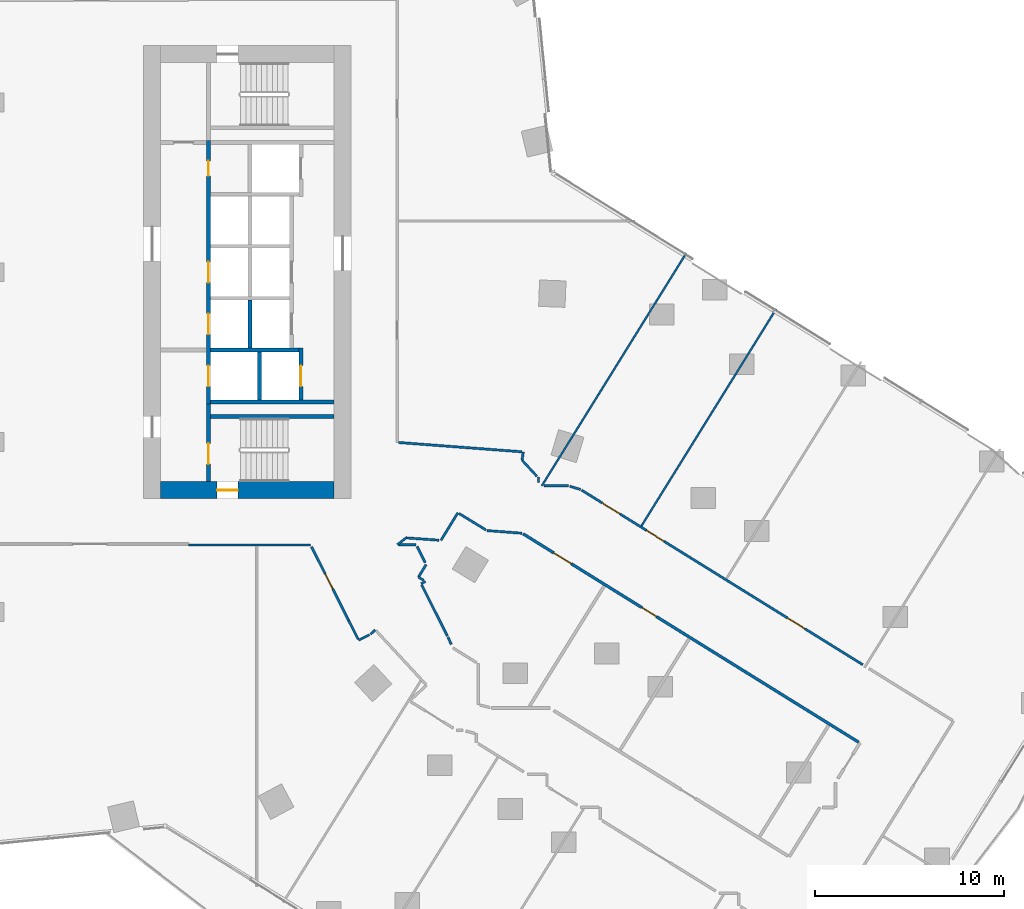
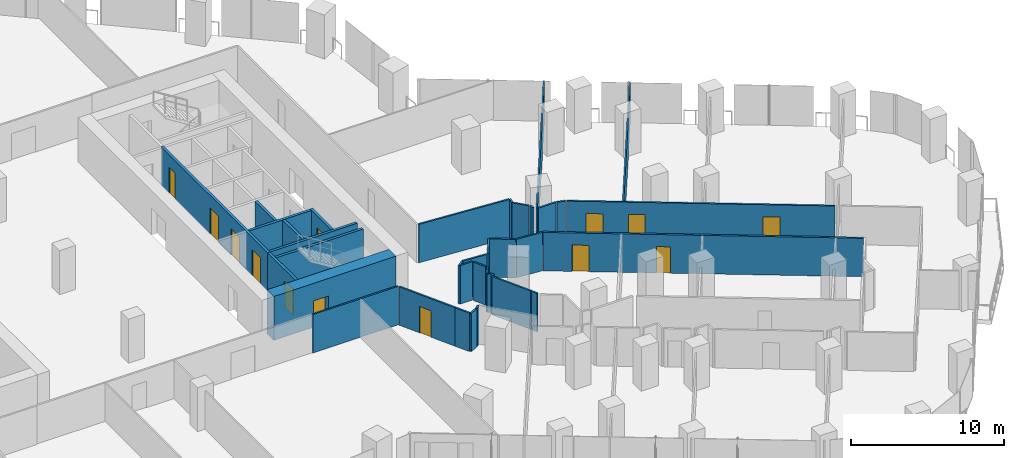
# One storey, part 27 of 34: 36 walls, 13 doors, 13 openings.
"""IFC4 building model written with IfcOpenShell, lengths in metres."""

from ifc_helpers import new_model, si_unit, direction, frame, frame_2d, origin, place, context, subcontext, project, spatial, rectangle, extrude, material, layer, layer_set, type_object, element, fill, save


model = new_model("IFC4")

# Units and contexts
model_context = context("Model", 3, precision=1e-05, world=origin(), true_north=direction((0.0, 1.0)))
body_context = subcontext(model_context, "Body", "Model", "MODEL_VIEW")
ifc_project = project(units=[si_unit("LENGTHUNIT", "METRE"), si_unit("AREAUNIT", "SQUARE_METRE"), si_unit("VOLUMEUNIT", "CUBIC_METRE"), si_unit("PLANEANGLEUNIT", "RADIAN"), si_unit("MASSUNIT", "GRAM", prefix="KILO")], contexts=[model_context])

# Site, building, storey
site_placement = place(None, origin())
site = spatial("IfcSite", under=ifc_project, at=site_placement, CompositionType="ELEMENT")
building_placement = place(site_placement, origin())
building = spatial("IfcBuilding", under=site, at=building_placement, Name="Orlundy Tower", CompositionType="ELEMENT")
storey_placement = place(building_placement, frame((0.0, 0.0, 37.300048828125)))
storey = spatial("IfcBuildingStorey", under=building, at=storey_placement, Name="L07", CompositionType="ELEMENT", Elevation=37.300048828125)

# Wall, opening, door
ifc_material_1 = material(Name="Concrete C80/95", Category="concrete")
ifc_layer_1 = layer(ifc_material_1, 0.89990234375)
ifc_layer_set_1 = layer_set([ifc_layer_1], Name="CORE WALL 900 C80/95")
wall_type_1 = type_object("IfcWallType", Name="CORE WALL 900 C80/95", PredefinedType="SHEAR", material=ifc_layer_set_1)
wall_1_placement = place(storey_placement, frame((8.89990234375, -11.550048828125, 0.0), z_axis=(0.0, 0.0, 1.0), x_axis=(1.0, 0.0, 0.0)))
wall_1 = element("IfcWall", 1, at=wall_1_placement, inside=storey, type_object=wall_type_1, Name="Core wall E-S L07", PredefinedType="SHEAR", context=body_context, shape_type="SweptSolid", body=[
    extrude(rectangle(XDim=9.2001953125, YDim=0.89990234375, at=frame_2d((4.60009765625, 0.0))), origin(), (0.0, 0.0, 1.0), 3.5),
])
opening_1_placement = place(wall_1_placement, frame((3.0, 0.0, 0.0)))
opening_1 = element("IfcOpeningElement", 2, at=opening_1_placement, cuts=wall_1, Name="Opening 08061", PredefinedType="OPENING", context=body_context, shape_type="SweptSolid", body=[
    extrude(rectangle(XDim=1.10009765625, YDim=2.10009765625, at=frame_2d((0.550048828125, 1.050048828125))), frame((0.0, 0.4599609375, 0.0), z_axis=(0.0, -1.0, 0.0), x_axis=(1.0, 0.0, 0.0)), (0.0, 0.0, 1.0), 0.919921875),
])
ifc_material_2 = material(Name="Steel door set", Category="steel")
door_type_1 = type_object("IfcDoorType", Name="Stair Door 1100x2100", OperationType="SINGLE_SWING_LEFT", PredefinedType="DOOR", material=ifc_material_2)
door_1_placement = place(opening_1_placement, origin())
door_1 = element("IfcDoor", 3, at=door_1_placement, inside=storey, type_object=door_type_1, Name="Stair door 08061", OperationType="SINGLE_SWING_LEFT", OverallHeight=2.10009765625, OverallWidth=1.10009765625, PredefinedType="DOOR", context=body_context, shape_type="SweptSolid", body=[
    extrude(rectangle(XDim=1.10009765625, YDim=2.10009765625, at=frame_2d((0.550048828125, 1.050048828125))), frame((0.0, 0.02490234375, 0.0), z_axis=(0.0, -1.0, 0.0), x_axis=(1.0, 0.0, 0.0)), (0.0, 0.0, 1.0), 0.050048828125),
])
fill(opening_1, door_1)

# Walls
ifc_material_3 = material(Name="Gypsum board partition")
ifc_layer_2 = layer(ifc_material_3, 0.10009765625)
ifc_layer_set_2 = layer_set([ifc_layer_2], Name="Floor partition 100")
wall_type_2 = type_object("IfcWallType", Name="Floor partition 100", PredefinedType="PARTITIONING", material=ifc_layer_set_2)
wall_2_placement = place(storey_placement, frame((34.381103515625, -13.443115234375, 0.0), z_axis=(0.0, 0.0, 1.0), x_axis=(0.527467467503, 0.849575229586, 0.0)))
element("IfcWall", 4, at=wall_2_placement, inside=storey, type_object=wall_type_2, Name="wall-int-L07-096", PredefinedType="PARTITIONING", context=body_context, shape_type="SweptSolid", body=[
    extrude(rectangle(XDim=13.5361328125, YDim=0.10009765625, at=frame_2d((6.76806640625, 0.0))), origin(), (0.0, 0.0, 1.0), 3.06005859375),
])
wall_3_placement = place(storey_placement, frame((29.097900390625, -11.322021484375, 0.0), z_axis=(0.0, 0.0, 1.0), x_axis=(0.527451584377, 0.849585090582, 0.0)))
element("IfcWall", 5, at=wall_3_placement, inside=storey, type_object=wall_type_2, Name="wall-int-L07-098", PredefinedType="PARTITIONING", context=body_context, shape_type="SweptSolid", body=[
    extrude(rectangle(XDim=14.52099609375, YDim=0.10009765625, at=frame_2d((7.260498046875, 0.0))), origin(), (0.0, 0.0, 1.0), 3.06005859375),
])
ifc_material_4 = material(Name="Gypsum board partition, double layer")
ifc_layer_3 = layer(ifc_material_4, 0.125)
ifc_layer_set_3 = layer_set([ifc_layer_3], Name="Floor partition 125")
wall_type_3 = type_object("IfcWallType", Name="Floor partition 125", PredefinedType="PARTITIONING", material=ifc_layer_set_3)
wall_4_placement = place(storey_placement, frame((24.125, -19.3330078125, 0.0), z_axis=(0.0, 0.0, 1.0), x_axis=(0.421763397018, -0.906705926382, 0.0)))
element("IfcWall", 6, at=wall_4_placement, inside=storey, type_object=wall_type_3, Name="wall-int-L07-001", PredefinedType="PARTITIONING", context=body_context, shape_type="SweptSolid", body=[
    extrude(rectangle(XDim=0.428955078125, YDim=0.125, at=frame_2d((0.21435546875, 0.0))), origin(), (0.0, 0.0, 1.0), 3.06005859375),
])
wall_5_placement = place(storey_placement, frame((18.862060546875, -18.444091796875, 0.0), z_axis=(0.0, 0.0, 1.0), x_axis=(0.450002129545, -0.893027481887, 0.0)))
element("IfcWall", 7, at=wall_5_placement, inside=storey, type_object=wall_type_3, Name="wall-int-L07-002", PredefinedType="PARTITIONING", context=body_context, shape_type="SweptSolid", body=[
    extrude(rectangle(XDim=1.119873046875, YDim=0.125, at=frame_2d((0.56005859375, 0.0))), origin(), (0.0, 0.0, 1.0), 3.06005859375),
])

# Wall, opening, door
wall_6_placement = place(storey_placement, frame((18.862060546875, -18.444091796875, 0.0), z_axis=(0.0, 0.0, 1.0), x_axis=(-0.450138749971, 0.892958624895, 0.0)))
wall_6 = element("IfcWall", 8, at=wall_6_placement, inside=storey, type_object=wall_type_3, Name="wall-int-L07-003", PredefinedType="PARTITIONING", context=body_context, shape_type="SweptSolid", body=[
    extrude(rectangle(XDim=4.369873046875, YDim=0.125, at=frame_2d((2.18505859375, 0.0))), origin(), (0.0, 0.0, 1.0), 3.06005859375),
])
opening_2_placement = place(wall_6_placement, frame((1.85009765625, 0.0, 0.0)))
opening_2 = element("IfcOpeningElement", 9, at=opening_2_placement, cuts=wall_6, Name="Opening 08126", PredefinedType="OPENING", context=body_context, shape_type="SweptSolid", body=[
    extrude(rectangle(XDim=0.89990234375, YDim=2.10009765625, at=frame_2d((0.449951171875, 1.050048828125))), frame((0.0, 0.072509765625, 0.0), z_axis=(0.0, -1.0, 0.0), x_axis=(1.0, 0.0, 0.0)), (0.0, 0.0, 1.0), 0.14501953125),
])
ifc_material_5 = material(Name="Timber door leaf", Category="wood")
door_type_2 = type_object("IfcDoorType", Name="Floor door single 900 FD30S", OperationType="NOTDEFINED", PredefinedType="DOOR", material=ifc_material_5)
door_2_placement = place(opening_2_placement, origin())
door_2 = element("IfcDoor", 10, at=door_2_placement, inside=storey, type_object=door_type_2, Name="Door 08126", OperationType="SINGLE_SWING_RIGHT", OverallHeight=2.10009765625, OverallWidth=0.89990234375, PredefinedType="DOOR", context=body_context, shape_type="SweptSolid", body=[
    extrude(rectangle(XDim=0.89990234375, YDim=2.10009765625, at=frame_2d((0.449951171875, 1.050048828125))), frame((0.0, 0.02490234375, 0.0), z_axis=(0.0, -1.0, 0.0), x_axis=(1.0, 0.0, 0.0)), (0.0, 0.0, 1.0), 0.050048828125),
])
fill(opening_2, door_2)

# Walls
wall_7_placement = place(storey_placement, frame((22.73095703125, -16.56396484375, 0.0), z_axis=(0.0, 0.0, 1.0), x_axis=(0.450236756355, -0.892909213317, 0.0)))
element("IfcWall", 11, at=wall_7_placement, inside=storey, type_object=wall_type_3, Name="wall-int-L07-004", PredefinedType="PARTITIONING", context=body_context, shape_type="SweptSolid", body=[
    extrude(rectangle(XDim=3.033935546875, YDim=0.125, at=frame_2d((1.51708984375, 0.0))), origin(), (0.0, 0.0, 1.0), 3.06005859375),
])
wall_8_placement = place(storey_placement, frame((22.488037109375, -14.528076171875, 0.0), z_axis=(0.0, 0.0, 1.0), x_axis=(0.451464765508, -0.892288947317, 0.0)))
element("IfcWall", 12, at=wall_8_placement, inside=storey, type_object=wall_type_3, Name="wall-int-L07-005", PredefinedType="PARTITIONING", context=body_context, shape_type="SweptSolid", body=[
    extrude(rectangle(XDim=0.963623046875, YDim=0.125, at=frame_2d((0.48193359375, 0.0))), origin(), (0.0, 0.0, 1.0), 3.06005859375),
])

# Wall, openings, doors
wall_9_placement = place(storey_placement, frame((31.2099609375, -11.548095703125, 0.0), z_axis=(0.0, 0.0, 1.0), x_axis=(0.849604026752, -0.527421081989, 0.0)))
wall_9 = element("IfcWall", 13, at=wall_9_placement, inside=storey, type_object=wall_type_3, Name="wall-int-L07-031", PredefinedType="PARTITIONING", context=body_context, shape_type="SweptSolid", body=[
    extrude(rectangle(XDim=17.536376953125, YDim=0.125, at=frame_2d((8.76806640625, 0.0))), origin(), (0.0, 0.0, 1.0), 3.06005859375),
])
opening_3_placement = place(wall_9_placement, frame((1.28759765625, 0.0, 0.0)))
opening_3 = element("IfcOpeningElement", 14, at=opening_3_placement, cuts=wall_9, Name="Opening 08102", PredefinedType="OPENING", context=body_context, shape_type="SweptSolid", body=[
    extrude(rectangle(XDim=1.10009765625, YDim=2.10009765625, at=frame_2d((0.550048828125, 1.050048828125))), frame((0.0, 0.072509765625, 0.0), z_axis=(0.0, -1.0, 0.0), x_axis=(1.0, 0.0, 0.0)), (0.0, 0.0, 1.0), 0.14501953125),
])
opening_4_placement = place(wall_9_placement, frame((4.04345703125, 0.0, 0.0)))
opening_4 = element("IfcOpeningElement", 15, at=opening_4_placement, cuts=wall_9, Name="Opening 08103", PredefinedType="OPENING", context=body_context, shape_type="SweptSolid", body=[
    extrude(rectangle(XDim=1.10009765625, YDim=2.10009765625, at=frame_2d((0.550048828125, 1.050048828125))), frame((0.0, 0.072509765625, 0.0), z_axis=(0.0, -1.0, 0.0), x_axis=(1.0, 0.0, 0.0)), (0.0, 0.0, 1.0), 0.14501953125),
])
opening_5_placement = place(wall_9_placement, frame((12.84375, 0.0, 0.0)))
opening_5 = element("IfcOpeningElement", 16, at=opening_5_placement, cuts=wall_9, Name="Opening 08104", PredefinedType="OPENING", context=body_context, shape_type="SweptSolid", body=[
    extrude(rectangle(XDim=1.10009765625, YDim=2.10009765625, at=frame_2d((0.550048828125, 1.050048828125))), frame((0.0, 0.072509765625, 0.0), z_axis=(0.0, -1.0, 0.0), x_axis=(1.0, 0.0, 0.0)), (0.0, 0.0, 1.0), 0.14501953125),
])
ifc_material_6 = material(Name="Timber door leaf", Category="wood")
door_type_3 = type_object("IfcDoorType", Name="Floor door xwide 1100 FD30S", OperationType="NOTDEFINED", PredefinedType="DOOR", material=ifc_material_6)
door_3_placement = place(opening_3_placement, origin())
door_3 = element("IfcDoor", 17, at=door_3_placement, inside=storey, type_object=door_type_3, Name="Door 08102", OperationType="SINGLE_SWING_LEFT", OverallHeight=2.10009765625, OverallWidth=1.10009765625, PredefinedType="DOOR", context=body_context, shape_type="SweptSolid", body=[
    extrude(rectangle(XDim=1.10009765625, YDim=2.10009765625, at=frame_2d((0.550048828125, 1.050048828125))), frame((0.0, 0.02490234375, 0.0), z_axis=(0.0, -1.0, 0.0), x_axis=(1.0, 0.0, 0.0)), (0.0, 0.0, 1.0), 0.050048828125),
])
fill(opening_3, door_3)
door_4_placement = place(opening_4_placement, origin())
door_4 = element("IfcDoor", 18, at=door_4_placement, inside=storey, type_object=door_type_3, Name="Door 08103", OperationType="SINGLE_SWING_LEFT", OverallHeight=2.10009765625, OverallWidth=1.10009765625, PredefinedType="DOOR", context=body_context, shape_type="SweptSolid", body=[
    extrude(rectangle(XDim=1.10009765625, YDim=2.10009765625, at=frame_2d((0.550048828125, 1.050048828125))), frame((0.0, 0.02490234375, 0.0), z_axis=(0.0, -1.0, 0.0), x_axis=(1.0, 0.0, 0.0)), (0.0, 0.0, 1.0), 0.050048828125),
])
fill(opening_4, door_4)
door_5_placement = place(opening_5_placement, origin())
door_5 = element("IfcDoor", 19, at=door_5_placement, inside=storey, type_object=door_type_3, Name="Door 08104", OperationType="SINGLE_SWING_RIGHT", OverallHeight=2.10009765625, OverallWidth=1.10009765625, PredefinedType="DOOR", context=body_context, shape_type="SweptSolid", body=[
    extrude(rectangle(XDim=1.10009765625, YDim=2.10009765625, at=frame_2d((0.550048828125, 1.050048828125))), frame((0.0, 0.02490234375, 0.0), z_axis=(0.0, -1.0, 0.0), x_axis=(1.0, 0.0, 0.0)), (0.0, 0.0, 1.0), 0.050048828125),
])
fill(opening_5, door_5)

# Walls
wall_10_placement = place(storey_placement, frame((22.56396484375, -16.156005859375, 0.0), z_axis=(0.0, 0.0, 1.0), x_axis=(0.853080239827, -0.521779747036, 0.0)))
element("IfcWall", 20, at=wall_10_placement, inside=storey, type_object=wall_type_3, Name="wall-int-L07-033", PredefinedType="PARTITIONING", context=body_context, shape_type="SweptSolid", body=[
    extrude(rectangle(XDim=0.329345703125, YDim=0.125, at=frame_2d((0.16455078125, 0.0))), origin(), (0.0, 0.0, 1.0), 3.06005859375),
])
wall_11_placement = place(storey_placement, frame((24.7060546875, -12.779052734375, 0.0), z_axis=(0.0, 0.0, 1.0), x_axis=(0.852832827554, -0.522184036759, 0.0)))
element("IfcWall", 21, at=wall_11_placement, inside=storey, type_object=wall_type_3, Name="wall-int-L07-034", PredefinedType="PARTITIONING", context=body_context, shape_type="SweptSolid", body=[
    extrude(rectangle(XDim=1.68115234375, YDim=0.125, at=frame_2d((0.840576171875, 0.0))), origin(), (0.0, 0.0, 1.0), 3.06005859375),
])
wall_12_placement = place(storey_placement, frame((28.053955078125, -9.9599609375, 0.0), z_axis=(0.0, 0.0, 1.0), x_axis=(0.677302255473, -0.735704869313, 0.0)))
element("IfcWall", 22, at=wall_12_placement, inside=storey, type_object=wall_type_3, Name="wall-int-L07-035", PredefinedType="PARTITIONING", context=body_context, shape_type="SweptSolid", body=[
    extrude(rectangle(XDim=1.162109375, YDim=0.125, at=frame_2d((0.5810546875, 0.0))), origin(), (0.0, 0.0, 1.0), 3.06005859375),
])
wall_13_placement = place(storey_placement, frame((30.58203125, -11.341064453125, 0.0), z_axis=(0.0, 0.0, 1.0), x_axis=(0.957208808848, -0.289398162165, 0.0)))
element("IfcWall", 23, at=wall_13_placement, inside=storey, type_object=wall_type_3, Name="wall-int-L07-036", PredefinedType="PARTITIONING", context=body_context, shape_type="SweptSolid", body=[
    extrude(rectangle(XDim=0.6005859375, YDim=0.125, at=frame_2d((0.30029296875, 0.0))), origin(), (0.0, 0.0, 1.0), 3.06005859375),
])
wall_14_placement = place(storey_placement, frame((21.908935546875, -14.075927734375, 0.0), z_axis=(0.0, 0.0, 1.0), x_axis=(0.997481329502, -0.07092952343, 0.0)))
element("IfcWall", 24, at=wall_14_placement, inside=storey, type_object=wall_type_3, Name="wall-int-L07-041", PredefinedType="PARTITIONING", context=body_context, shape_type="SweptSolid", body=[
    extrude(rectangle(XDim=1.74853515625, YDim=0.125, at=frame_2d((0.874267578125, 0.0))), origin(), (0.0, 0.0, 1.0), 3.06005859375),
])
wall_15_placement = place(storey_placement, frame((28.05908203125, -13.8310546875, 0.0), z_axis=(0.0, 0.0, 1.0), x_axis=(-0.997149685686, 0.075448686782, 0.0)))
element("IfcWall", 25, at=wall_15_placement, inside=storey, type_object=wall_type_3, Name="wall-int-L07-042", PredefinedType="PARTITIONING", context=body_context, shape_type="SweptSolid", body=[
    extrude(rectangle(XDim=1.870361328125, YDim=0.125, at=frame_2d((0.93505859375, 0.0))), origin(), (0.0, 0.0, 1.0), 3.06005859375),
])
wall_16_placement = place(storey_placement, frame((21.511962890625, -9.02294921875, 0.0), z_axis=(0.0, 0.0, 1.0), x_axis=(0.997163067234, -0.075271623768, 0.0)))
element("IfcWall", 26, at=wall_16_placement, inside=storey, type_object=wall_type_3, Name="wall-int-L07-043", PredefinedType="PARTITIONING", context=body_context, shape_type="SweptSolid", body=[
    extrude(rectangle(XDim=6.564697265625, YDim=0.125, at=frame_2d((3.2822265625, 0.0))), origin(), (0.0, 0.0, 1.0), 3.06005859375),
])
wall_17_placement = place(storey_placement, frame((10.39111328125, -14.450927734375, 0.0), z_axis=(0.0, 0.0, 1.0), x_axis=(1.0, 0.0, 0.0)))
element("IfcWall", 27, at=wall_17_placement, inside=storey, type_object=wall_type_3, Name="wall-int-L07-052", PredefinedType="PARTITIONING", context=body_context, shape_type="SweptSolid", body=[
    extrude(rectangle(XDim=6.4580078125, YDim=0.125, at=frame_2d((3.22900390625, 0.0))), origin(), (0.0, 0.0, 1.0), 3.06005859375),
])
wall_18_placement = place(storey_placement, frame((21.511962890625, -14.43896484375, 0.0), z_axis=(0.0, 0.0, 1.0), x_axis=(1.0, 0.0, 0.0)))
element("IfcWall", 28, at=wall_18_placement, inside=storey, type_object=wall_type_3, Name="wall-int-L07-053", PredefinedType="PARTITIONING", context=body_context, shape_type="SweptSolid", body=[
    extrude(rectangle(XDim=0.922119140625, YDim=0.125, at=frame_2d((0.4609375, 0.0))), origin(), (0.0, 0.0, 1.0), 3.06005859375),
])
wall_19_placement = place(storey_placement, frame((29.208984375, -11.322998046875, 0.0), z_axis=(0.0, 0.0, 1.0), x_axis=(1.0, 0.0, 0.0)))
element("IfcWall", 29, at=wall_19_placement, inside=storey, type_object=wall_type_3, Name="wall-int-L07-055", PredefinedType="PARTITIONING", context=body_context, shape_type="SweptSolid", body=[
    extrude(rectangle(XDim=1.31298828125, YDim=0.125, at=frame_2d((0.656494140625, 0.0))), origin(), (0.0, 0.0, 1.0), 3.06005859375),
])
wall_20_placement = place(storey_placement, frame((19.39501953125, -19.5, 0.0), z_axis=(0.0, 0.0, 1.0), x_axis=(0.892812732839, 0.450428045396, 0.0)))
element("IfcWall", 30, at=wall_20_placement, inside=storey, type_object=wall_type_3, Name="wall-int-L07-063", PredefinedType="PARTITIONING", context=body_context, shape_type="SweptSolid", body=[
    extrude(rectangle(XDim=0.637451171875, YDim=0.125, at=frame_2d((0.31884765625, 0.0))), origin(), (0.0, 0.0, 1.0), 3.06005859375),
])
wall_21_placement = place(storey_placement, frame((22.702880859375, -16.508056640625, 0.0), z_axis=(0.0, 0.0, 1.0), x_axis=(0.891271495478, 0.453470088703, 0.0)))
element("IfcWall", 31, at=wall_21_placement, inside=storey, type_object=wall_type_3, Name="wall-int-L07-064", PredefinedType="PARTITIONING", context=body_context, shape_type="SweptSolid", body=[
    extrude(rectangle(XDim=0.264892578125, YDim=0.125, at=frame_2d((0.13232421875, 0.0))), origin(), (0.0, 0.0, 1.0), 3.06005859375),
])
wall_22_placement = place(storey_placement, frame((20.02001953125, -19.18408203125, 0.0), z_axis=(0.0, 0.0, 1.0), x_axis=(0.733643888507, 0.67953413811, 0.0)))
element("IfcWall", 32, at=wall_22_placement, inside=storey, type_object=wall_type_3, Name="wall-int-L07-071", PredefinedType="PARTITIONING", context=body_context, shape_type="SweptSolid", body=[
    extrude(rectangle(XDim=0.347412109375, YDim=0.125, at=frame_2d((0.173828125, 0.0))), origin(), (0.0, 0.0, 1.0), 3.06005859375),
])
wall_23_placement = place(storey_placement, frame((22.56396484375, -16.155029296875, 0.0), z_axis=(0.0, 0.0, 1.0), x_axis=(0.523800782585, 0.851840795081, 0.0)))
element("IfcWall", 33, at=wall_23_placement, inside=storey, type_object=wall_type_3, Name="wall-int-L07-099", PredefinedType="PARTITIONING", context=body_context, shape_type="SweptSolid", body=[
    extrude(rectangle(XDim=0.78076171875, YDim=0.125, at=frame_2d((0.390380859375, 0.0))), origin(), (0.0, 0.0, 1.0), 3.06005859375),
])
wall_24_placement = place(storey_placement, frame((23.757080078125, -14.20703125, 0.0), z_axis=(0.0, 0.0, 1.0), x_axis=(0.522394974703, 0.85270363574, 0.0)))
element("IfcWall", 34, at=wall_24_placement, inside=storey, type_object=wall_type_3, Name="wall-int-L07-101", PredefinedType="PARTITIONING", context=body_context, shape_type="SweptSolid", body=[
    extrude(rectangle(XDim=1.71337890625, YDim=0.125, at=frame_2d((0.856689453125, 0.0))), origin(), (0.0, 0.0, 1.0), 3.06005859375),
])
wall_25_placement = place(storey_placement, frame((28.053955078125, -9.9599609375, 0.0), z_axis=(0.0, 0.0, 1.0), x_axis=(0.146668558618, 0.989185692331, 0.0)))
element("IfcWall", 35, at=wall_25_placement, inside=storey, type_object=wall_type_3, Name="wall-int-L07-103", PredefinedType="PARTITIONING", context=body_context, shape_type="SweptSolid", body=[
    extrude(rectangle(XDim=0.44287109375, YDim=0.125, at=frame_2d((0.221435546875, 0.0))), origin(), (0.0, 0.0, 1.0), 3.06005859375),
])
wall_26_placement = place(storey_placement, frame((28.922119140625, -11.134033203125, 0.0), z_axis=(0.0, 0.0, 1.0), x_axis=(0.0, 1.0, 0.0)))
element("IfcWall", 36, at=wall_26_placement, inside=storey, type_object=wall_type_3, Name="wall-int-L07-110", PredefinedType="PARTITIONING", context=body_context, shape_type="SweptSolid", body=[
    extrude(rectangle(XDim=0.294921875, YDim=0.125, at=frame_2d((0.1474609375, 0.0))), origin(), (0.0, 0.0, 1.0), 3.06005859375),
])
wall_27_placement = place(storey_placement, frame((21.449951171875, -14.43896484375, 0.0), z_axis=(0.0, 0.0, 1.0), x_axis=(0.784316455637, 0.620360941241, 0.0)))
element("IfcWall", 37, at=wall_27_placement, inside=storey, type_object=wall_type_3, Name="wall-int-L07-113", PredefinedType="PARTITIONING", context=body_context, shape_type="SweptSolid", body=[
    extrude(rectangle(XDim=0.585205078125, YDim=0.125, at=frame_2d((0.29248046875, 0.0))), origin(), (0.0, 0.0, 1.0), 3.06005859375),
])

# Wall, openings, doors
ifc_material_7 = material(Name="Blockwork shaft wall", Category="masonry")
ifc_layer_4 = layer(ifc_material_7, 0.14990234375)
ifc_layer_set_4 = layer_set([ifc_layer_4], Name="Floor shaft wall 150")
wall_type_4 = type_object("IfcWallType", Name="Floor shaft wall 150", PredefinedType="PARTITIONING", material=ifc_layer_set_4)
wall_28_placement = place(storey_placement, frame((45.89111328125, -24.905029296875, 0.0), z_axis=(0.0, 0.0, 1.0), x_axis=(-0.849504231943, 0.527581803999, 0.0)))
wall_28 = element("IfcWall", 38, at=wall_28_placement, inside=storey, type_object=wall_type_4, Name="wall-int-L07-030", PredefinedType="PARTITIONING", context=body_context, shape_type="SweptSolid", body=[
    extrude(rectangle(XDim=20.927490234375, YDim=0.14990234375, at=frame_2d((10.4638671875, 0.0))), origin(), (0.0, 0.0, 1.0), 3.06005859375),
])
opening_6_placement = place(wall_28_placement, frame((12.62451171875, 0.0, 0.0)))
opening_6 = element("IfcOpeningElement", 39, at=opening_6_placement, cuts=wall_28, Name="Opening 08100", PredefinedType="OPENING", context=body_context, shape_type="SweptSolid", body=[
    extrude(rectangle(XDim=0.89990234375, YDim=2.10009765625, at=frame_2d((0.449951171875, 1.050048828125))), frame((0.0, 0.0849609375, 0.0), z_axis=(0.0, -1.0, 0.0), x_axis=(1.0, 0.0, 0.0)), (0.0, 0.0, 1.0), 0.169921875),
])
opening_7_placement = place(wall_28_placement, frame((17.9248046875, 0.0, 0.0)))
opening_7 = element("IfcOpeningElement", 40, at=opening_7_placement, cuts=wall_28, Name="Opening 08105", PredefinedType="OPENING", context=body_context, shape_type="SweptSolid", body=[
    extrude(rectangle(XDim=1.10009765625, YDim=2.10009765625, at=frame_2d((0.550048828125, 1.050048828125))), frame((0.0, 0.0849609375, 0.0), z_axis=(0.0, -1.0, 0.0), x_axis=(1.0, 0.0, 0.0)), (0.0, 0.0, 1.0), 0.169921875),
])
ifc_material_8 = material(Name="Timber door leaf", Category="wood")
door_type_4 = type_object("IfcDoorType", Name="Floor door single 900 FD60", OperationType="NOTDEFINED", PredefinedType="DOOR", material=ifc_material_8)
door_6_placement = place(opening_6_placement, origin())
door_6 = element("IfcDoor", 41, at=door_6_placement, inside=storey, type_object=door_type_4, Name="Door 08100", OperationType="SINGLE_SWING_RIGHT", OverallHeight=2.10009765625, OverallWidth=0.89990234375, PredefinedType="DOOR", context=body_context, shape_type="SweptSolid", body=[
    extrude(rectangle(XDim=0.89990234375, YDim=2.10009765625, at=frame_2d((0.449951171875, 1.050048828125))), frame((0.0, 0.02490234375, 0.0), z_axis=(0.0, -1.0, 0.0), x_axis=(1.0, 0.0, 0.0)), (0.0, 0.0, 1.0), 0.050048828125),
])
fill(opening_6, door_6)
ifc_material_9 = material(Name="Timber door leaf", Category="wood")
door_type_5 = type_object("IfcDoorType", Name="Floor door xwide 1100 FD60", OperationType="NOTDEFINED", PredefinedType="DOOR", material=ifc_material_9)
door_7_placement = place(opening_7_placement, origin())
door_7 = element("IfcDoor", 42, at=door_7_placement, inside=storey, type_object=door_type_5, Name="Door 08105", OperationType="SINGLE_SWING_RIGHT", OverallHeight=2.10009765625, OverallWidth=1.10009765625, PredefinedType="DOOR", context=body_context, shape_type="SweptSolid", body=[
    extrude(rectangle(XDim=1.10009765625, YDim=2.10009765625, at=frame_2d((0.550048828125, 1.050048828125))), frame((0.0, 0.02490234375, 0.0), z_axis=(0.0, -1.0, 0.0), x_axis=(1.0, 0.0, 0.0)), (0.0, 0.0, 1.0), 0.050048828125),
])
fill(opening_7, door_7)

# Wall, opening, door
ifc_material_10 = material(Name="Concrete C40/50", Category="concrete")
ifc_layer_5 = layer(ifc_material_10, 0.199951171875)
ifc_layer_set_5 = layer_set([ifc_layer_5], Name="Load-bearing Shaft Wall 200")
wall_type_5 = type_object("IfcWallType", Name="Load-bearing Shaft Wall 200", PredefinedType="SOLIDWALL", material=ifc_layer_set_5)
wall_29_placement = place(storey_placement, frame((11.43994140625, -6.97509765625, 0.0), z_axis=(0.0, 0.0, 1.0), x_axis=(0.0, -1.0, 0.0)))
wall_29 = element("IfcWall", 43, at=wall_29_placement, inside=storey, type_object=wall_type_5, Name="Shaft wall E08-stair-end-n", PredefinedType="SOLIDWALL", context=body_context, shape_type="SweptSolid", body=[
    extrude(rectangle(XDim=4.125, YDim=0.199951171875, at=frame_2d((2.0625, 0.0))), origin(), (0.0, 0.0, 1.0), 3.079833984375),
])
opening_8_placement = place(wall_29_placement, frame((2.10009765625, 0.0, 0.0)))
opening_8 = element("IfcOpeningElement", 44, at=opening_8_placement, cuts=wall_29, Name="Opening 08063", PredefinedType="OPENING", context=body_context, shape_type="SweptSolid", body=[
    extrude(rectangle(XDim=1.10009765625, YDim=2.10009765625, at=frame_2d((0.550048828125, 1.050048828125))), frame((0.0, 0.110107421875, 0.0), z_axis=(0.0, -1.0, 0.0), x_axis=(1.0, 0.0, 0.0)), (0.0, 0.0, 1.0), 0.22021484375),
])
ifc_material_11 = material(Name="Steel door set", Category="steel")
door_type_6 = type_object("IfcDoorType", Name="Fire-fighting Lobby Door 1100x2100", OperationType="SINGLE_SWING_LEFT", PredefinedType="DOOR", material=ifc_material_11)
door_8_placement = place(opening_8_placement, origin())
door_8 = element("IfcDoor", 45, at=door_8_placement, inside=storey, type_object=door_type_6, Name="Fire-fighting lobby to stair door 08063", OperationType="SINGLE_SWING_RIGHT", OverallHeight=2.10009765625, OverallWidth=1.10009765625, PredefinedType="DOOR", context=body_context, shape_type="SweptSolid", body=[
    extrude(rectangle(XDim=1.10009765625, YDim=2.10009765625, at=frame_2d((0.550048828125, 1.050048828125))), frame((0.0, 0.02490234375, 0.0), z_axis=(0.0, -1.0, 0.0), x_axis=(1.0, 0.0, 0.0)), (0.0, 0.0, 1.0), 0.050048828125),
])
fill(opening_8, door_8)

# Walls
wall_30_placement = place(storey_placement, frame((11.5400390625, -7.64990234375, 0.0), z_axis=(0.0, 0.0, 1.0), x_axis=(1.0, 0.0, 0.0)))
element("IfcWall", 46, at=wall_30_placement, inside=storey, type_object=wall_type_5, Name="Shaft wall E08-stair-side-n", PredefinedType="SOLIDWALL", context=body_context, shape_type="SweptSolid", body=[
    extrude(rectangle(XDim=6.56005859375, YDim=0.199951171875, at=frame_2d((3.280029296875, 0.0))), origin(), (0.0, 0.0, 1.0), 3.079833984375),
])
ifc_material_12 = material(Name="Fire-rated blockwork shaft wall", Category="masonry")
ifc_layer_6 = layer(ifc_material_12, 0.199951171875)
ifc_layer_set_6 = layer_set([ifc_layer_6], Name="Shaft Wall 200")
wall_type_6 = type_object("IfcWallType", Name="Shaft Wall 200", PredefinedType="SOLIDWALL", material=ifc_layer_set_6)
wall_31_placement = place(storey_placement, frame((11.5400390625, -6.875, 0.0), z_axis=(0.0, 0.0, 1.0), x_axis=(1.0, 0.0, 0.0)))
element("IfcWall", 47, at=wall_31_placement, inside=storey, type_object=wall_type_6, Name="Shaft wall E08-zone-n", PredefinedType="SOLIDWALL", context=body_context, shape_type="SweptSolid", body=[
    extrude(rectangle(XDim=6.56005859375, YDim=0.199951171875, at=frame_2d((3.280029296875, 0.0))), origin(), (0.0, 0.0, 1.0), 3.079833984375),
])
wall_32_placement = place(storey_placement, frame((11.5400390625, -4.125, 0.0), z_axis=(0.0, 0.0, 1.0), x_axis=(1.0, 0.0, 0.0)))
element("IfcWall", 48, at=wall_32_placement, inside=storey, type_object=wall_type_6, Name="Shaft wall E08-cross+4.125", PredefinedType="SOLIDWALL", context=body_context, shape_type="SweptSolid", body=[
    extrude(rectangle(XDim=4.699951171875, YDim=0.199951171875, at=frame_2d((2.35009765625, 0.0))), origin(), (0.0, 0.0, 1.0), 3.079833984375),
])

# Wall, openings, doors
wall_33_placement = place(storey_placement, frame((11.43994140625, 6.97509765625, 0.0), z_axis=(0.0, 0.0, 1.0), x_axis=(0.0, -1.0, 0.0)))
wall_33 = element("IfcWall", 49, at=wall_33_placement, inside=storey, type_object=wall_type_6, Name="Shaft wall E08-front-h", PredefinedType="SOLIDWALL", context=body_context, shape_type="SweptSolid", body=[
    extrude(rectangle(XDim=13.9501953125, YDim=0.199951171875, at=frame_2d((6.97509765625, 0.0))), origin(), (0.0, 0.0, 1.0), 3.079833984375),
])
opening_9_placement = place(wall_33_placement, frame((6.425048828125, 0.0, 0.0)))
opening_9 = element("IfcOpeningElement", 50, at=opening_9_placement, cuts=wall_33, Name="Opening 08051", PredefinedType="OPENING", context=body_context, shape_type="SweptSolid", body=[
    extrude(rectangle(XDim=1.10009765625, YDim=2.10009765625, at=frame_2d((0.550048828125, 1.050048828125))), frame((0.0, 0.110107421875, 0.0), z_axis=(0.0, -1.0, 0.0), x_axis=(1.0, 0.0, 0.0)), (0.0, 0.0, 1.0), 0.22021484375),
])
opening_10_placement = place(wall_33_placement, frame((9.175048828125, 0.0, 0.0)))
opening_10 = element("IfcOpeningElement", 51, at=opening_10_placement, cuts=wall_33, Name="Opening 08053", PredefinedType="OPENING", context=body_context, shape_type="SweptSolid", body=[
    extrude(rectangle(XDim=1.10009765625, YDim=2.10009765625, at=frame_2d((0.550048828125, 1.050048828125))), frame((0.0, 0.110107421875, 0.0), z_axis=(0.0, -1.0, 0.0), x_axis=(1.0, 0.0, 0.0)), (0.0, 0.0, 1.0), 0.22021484375),
])
opening_11_placement = place(wall_33_placement, frame((11.925048828125, 0.0, 0.0)))
opening_11 = element("IfcOpeningElement", 52, at=opening_11_placement, cuts=wall_33, Name="Opening 08055", PredefinedType="OPENING", context=body_context, shape_type="SweptSolid", body=[
    extrude(rectangle(XDim=1.10009765625, YDim=2.10009765625, at=frame_2d((0.550048828125, 1.050048828125))), frame((0.0, 0.110107421875, 0.0), z_axis=(0.0, -1.0, 0.0), x_axis=(1.0, 0.0, 0.0)), (0.0, 0.0, 1.0), 0.22021484375),
])
opening_12_placement = place(wall_33_placement, frame((1.074951171875, 0.0, 0.0)))
opening_12 = element("IfcOpeningElement", 53, at=opening_12_placement, cuts=wall_33, Name="Opening 08057", PredefinedType="OPENING", context=body_context, shape_type="SweptSolid", body=[
    extrude(rectangle(XDim=0.800048828125, YDim=2.10009765625, at=frame_2d((0.39990234375, 1.050048828125))), frame((0.0, 0.110107421875, 0.0), z_axis=(0.0, -1.0, 0.0), x_axis=(1.0, 0.0, 0.0)), (0.0, 0.0, 1.0), 0.22021484375),
])
ifc_material_13 = material(Name="Steel door set", Category="steel")
door_type_7 = type_object("IfcDoorType", Name="Landing Door 1100x2100", OperationType="DOUBLE_DOOR_SLIDING", PredefinedType="DOOR", material=ifc_material_13)
door_9_placement = place(opening_9_placement, origin())
door_9 = element("IfcDoor", 54, at=door_9_placement, inside=storey, type_object=door_type_7, Name="Lift landing door LP-10 08051", OperationType="DOUBLE_DOOR_SLIDING", OverallHeight=2.10009765625, OverallWidth=1.10009765625, PredefinedType="DOOR", context=body_context, shape_type="SweptSolid", body=[
    extrude(rectangle(XDim=1.10009765625, YDim=2.10009765625, at=frame_2d((0.550048828125, 1.050048828125))), frame((0.0, 0.02490234375, 0.0), z_axis=(0.0, -1.0, 0.0), x_axis=(1.0, 0.0, 0.0)), (0.0, 0.0, 1.0), 0.050048828125),
])
fill(opening_9, door_9)
door_10_placement = place(opening_10_placement, origin())
door_10 = element("IfcDoor", 55, at=door_10_placement, inside=storey, type_object=door_type_7, Name="Lift landing door LP-07 08053", OperationType="DOUBLE_DOOR_SLIDING", OverallHeight=2.10009765625, OverallWidth=1.10009765625, PredefinedType="DOOR", context=body_context, shape_type="SweptSolid", body=[
    extrude(rectangle(XDim=1.10009765625, YDim=2.10009765625, at=frame_2d((0.550048828125, 1.050048828125))), frame((0.0, 0.02490234375, 0.0), z_axis=(0.0, -1.0, 0.0), x_axis=(1.0, 0.0, 0.0)), (0.0, 0.0, 1.0), 0.050048828125),
])
fill(opening_10, door_10)
door_11_placement = place(opening_11_placement, origin())
door_11 = element("IfcDoor", 56, at=door_11_placement, inside=storey, type_object=door_type_7, Name="Lift landing door FL2 08055", OperationType="DOUBLE_DOOR_SLIDING", OverallHeight=2.10009765625, OverallWidth=1.10009765625, PredefinedType="DOOR", context=body_context, shape_type="SweptSolid", body=[
    extrude(rectangle(XDim=1.10009765625, YDim=2.10009765625, at=frame_2d((0.550048828125, 1.050048828125))), frame((0.0, 0.02490234375, 0.0), z_axis=(0.0, -1.0, 0.0), x_axis=(1.0, 0.0, 0.0)), (0.0, 0.0, 1.0), 0.050048828125),
])
fill(opening_11, door_11)
ifc_material_14 = material(Name="Timber door set", Category="wood")
door_type_8 = type_object("IfcDoorType", Name="Riser Door 800x2100", OperationType="SINGLE_SWING_LEFT", PredefinedType="DOOR", material=ifc_material_14)
door_12_placement = place(opening_12_placement, origin())
door_12 = element("IfcDoor", 57, at=door_12_placement, inside=storey, type_object=door_type_8, Name="Telecom Room door 08057", OperationType="SINGLE_SWING_LEFT", OverallHeight=2.10009765625, OverallWidth=0.800048828125, PredefinedType="DOOR", context=body_context, shape_type="SweptSolid", body=[
    extrude(rectangle(XDim=0.800048828125, YDim=2.10009765625, at=frame_2d((0.39990234375, 1.050048828125))), frame((0.0, 0.02490234375, 0.0), z_axis=(0.0, -1.0, 0.0), x_axis=(1.0, 0.0, 0.0)), (0.0, 0.0, 1.0), 0.050048828125),
])
fill(opening_12, door_12)

# Walls
for number, where, z_axis, x_axis, name in (
    (58, (13.639892578125, -1.47509765625, 0.0), (0.0, 0.0, 1.0), (0.0, -1.0, 0.0), "Shaft wall E08-mid-a.3"),
    (59, (14.139892578125, -4.22509765625, 0.0), (0.0, 0.0, 1.0), (0.0, -1.0, 0.0), "Shaft wall E08-mid-b"),
):
    element("IfcWall", number, at=place(storey_placement, frame(where, z_axis=z_axis, x_axis=x_axis)), inside=storey, type_object=wall_type_6, Name=name, PredefinedType="SOLIDWALL", context=body_context, shape_type="SweptSolid", body=[
        extrude(rectangle(XDim=2.5498046875, YDim=0.199951171875, at=frame_2d((1.27490234375, 0.0))), origin(), (0.0, 0.0, 1.0), 3.079833984375),
    ])

# Wall, opening, door
wall_34_placement = place(storey_placement, frame((16.340087890625, -4.02490234375, 0.0), z_axis=(0.0, 0.0, 1.0), x_axis=(0.0, -1.0, 0.0)))
wall_34 = element("IfcWall", 60, at=wall_34_placement, inside=storey, type_object=wall_type_6, Name="Shaft wall E08-front-o-c", PredefinedType="SOLIDWALL", context=body_context, shape_type="SweptSolid", body=[
    extrude(rectangle(XDim=2.75, YDim=0.199951171875, at=frame_2d((1.375, 0.0))), origin(), (0.0, 0.0, 1.0), 3.079833984375),
])
opening_13_placement = place(wall_34_placement, frame((0.925048828125, 0.0, 0.0)))
opening_13 = element("IfcOpeningElement", 61, at=opening_13_placement, cuts=wall_34, Name="Opening 08056", PredefinedType="OPENING", context=body_context, shape_type="SweptSolid", body=[
    extrude(rectangle(XDim=1.10009765625, YDim=2.10009765625, at=frame_2d((0.550048828125, 1.050048828125))), frame((0.0, 0.110107421875, 0.0), z_axis=(0.0, -1.0, 0.0), x_axis=(1.0, 0.0, 0.0)), (0.0, 0.0, 1.0), 0.22021484375),
])
door_13_placement = place(opening_13_placement, origin())
door_13 = element("IfcDoor", 62, at=door_13_placement, inside=storey, type_object=door_type_7, Name="Lift landing door LP-09 08056", OperationType="DOUBLE_DOOR_SLIDING", OverallHeight=2.10009765625, OverallWidth=1.10009765625, PredefinedType="DOOR", context=body_context, shape_type="SweptSolid", body=[
    extrude(rectangle(XDim=1.10009765625, YDim=2.10009765625, at=frame_2d((0.550048828125, 1.050048828125))), frame((0.0, 0.02490234375, 0.0), z_axis=(0.0, -1.0, 0.0), x_axis=(1.0, 0.0, 0.0)), (0.0, 0.0, 1.0), 0.050048828125),
])
fill(opening_13, door_13)

save(model, "model.ifc")
